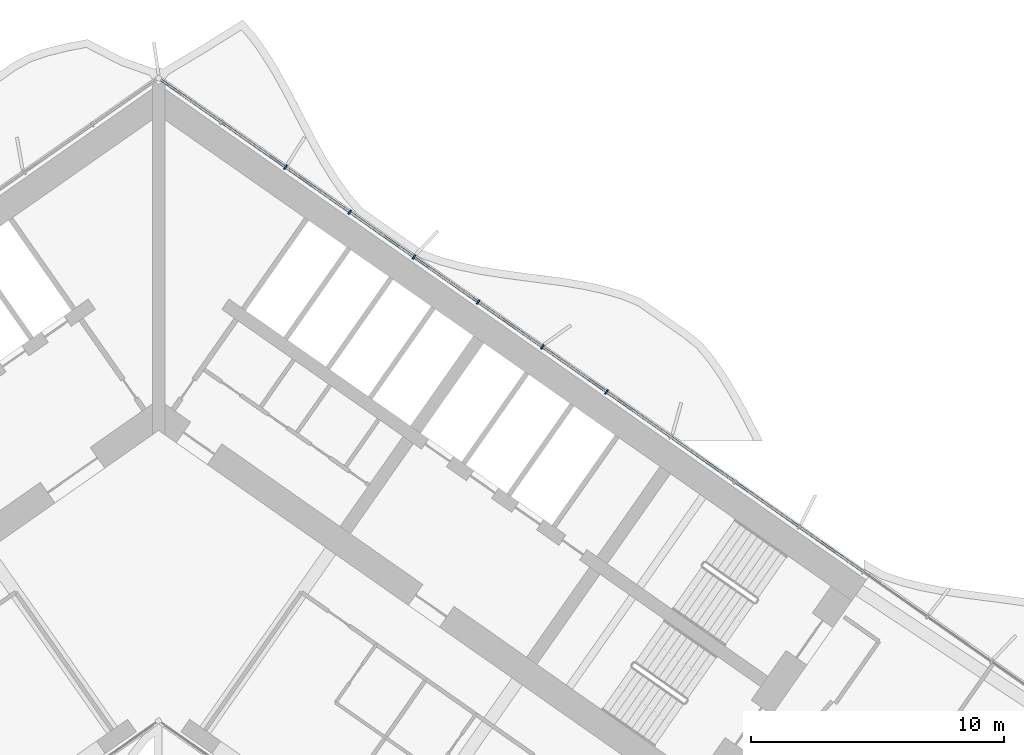
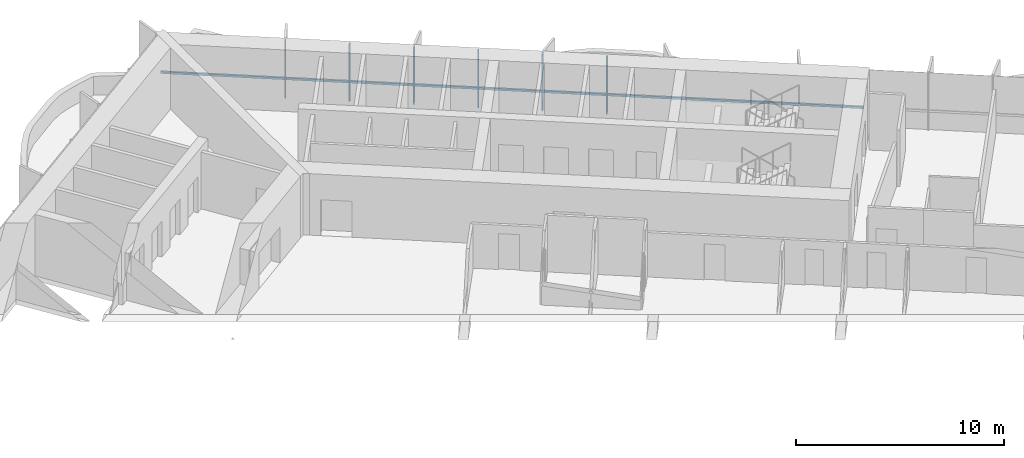
# One storey, part 8 of 23: 7 members, 1 element without a shape of its own.
"""IFC4 building model written with IfcOpenShell, lengths in metres."""

from ifc_helpers import new_model, si_unit, direction, frame, origin, origin_2d, place, context, subcontext, project, spatial, rectangle, extrude, material, material_profile, profile_set, type_object, element, aggregate, save


model = new_model("IFC4")

# Units and contexts
model_context = context("Model", 3, precision=1e-05, world=origin(), true_north=direction((0.0, 1.0)))
body_context = subcontext(model_context, "Body", "Model", "MODEL_VIEW")
ifc_project = project(units=[si_unit("LENGTHUNIT", "METRE"), si_unit("AREAUNIT", "SQUARE_METRE"), si_unit("VOLUMEUNIT", "CUBIC_METRE"), si_unit("PLANEANGLEUNIT", "RADIAN"), si_unit("MASSUNIT", "GRAM", prefix="KILO")], contexts=[model_context])

# Site, building, storey
site_placement = place(None, origin())
site = spatial("IfcSite", under=ifc_project, at=site_placement, CompositionType="ELEMENT")
building_placement = place(site_placement, origin())
building = spatial("IfcBuilding", under=site, at=building_placement, Name="Tel Ilan Convention Tower", CompositionType="ELEMENT")
storey_placement = place(building_placement, frame((0.0, 0.0, 79.699951171875)))
storey = spatial("IfcBuildingStorey", under=building, at=storey_placement, Name="L15", CompositionType="ELEMENT", Elevation=79.699951171875)

# Curtain wall, members
ifc_material_1 = material(Name="Aluminium, bronze anodised", Category="aluminium")
curtain_wall_type = type_object("IfcCurtainWallType", Name="CW2 STICK CURTAIN WALL, SPANDREL PANELS", PredefinedType="NOTDEFINED", material=ifc_material_1)
curtain_wall_placement = place(storey_placement, origin())
curtain_wall = element("IfcCurtainWall", 1, at=curtain_wall_placement, inside=storey, type_object=curtain_wall_type, Name="Curtain wall CW2-15.01", PredefinedType="NOTDEFINED")
ifc_material_2 = material(Name="Aluminium, bronze anodised", Category="aluminium")
ifc_material_profile_1 = material_profile(ifc_material_2, rectangle(XDim=0.06005859375, YDim=0.199951171875, at=origin_2d()), Name="CW MULLION 60x200")
ifc_profile_set_1 = profile_set([ifc_material_profile_1], Name="Aluminium, bronze anodised")
member_type_1 = type_object("IfcMemberType", Name="CW MULLION 60x200", PredefinedType="MULLION", material=ifc_profile_set_1)
member_1_placement = place(storey_placement, frame((17.701171875, 0.301513671875, 0.0), z_axis=(0.0, 0.0, 1.0), x_axis=(-0.819152044289, 0.573576436351, 0.0)))
member_1 = element("IfcMember", 2, at=member_1_placement, type_object=member_type_1, Name="Mullion", PredefinedType="MULLION", context=body_context, shape_type="SweptSolid", body=[
    extrude(rectangle(XDim=0.06005859375, YDim=0.199951171875, at=origin_2d()), origin(), (0.0, 0.0, 1.0), 3.320068359375),
])
member_2_placement = place(storey_placement, frame((15.1640625, 2.077880859375, 0.0), z_axis=(0.0, 0.0, 1.0), x_axis=(-0.819152044289, 0.573576436351, 0.0)))
member_2 = element("IfcMember", 3, at=member_2_placement, type_object=member_type_1, Name="Mullion", PredefinedType="MULLION", context=body_context, shape_type="SweptSolid", body=[
    extrude(rectangle(XDim=0.06005859375, YDim=0.199951171875, at=origin_2d()), origin(), (0.0, 0.0, 1.0), 3.320068359375),
])
member_3_placement = place(storey_placement, frame((12.627197265625, 3.854248046875, 0.0), z_axis=(0.0, 0.0, 1.0), x_axis=(-0.819152044289, 0.573576436351, 0.0)))
member_3 = element("IfcMember", 4, at=member_3_placement, type_object=member_type_1, Name="Mullion", PredefinedType="MULLION", context=body_context, shape_type="SweptSolid", body=[
    extrude(rectangle(XDim=0.06005859375, YDim=0.199951171875, at=origin_2d()), origin(), (0.0, 0.0, 1.0), 3.320068359375),
])
member_4_placement = place(storey_placement, frame((10.09033203125, 5.630615234375, 0.0), z_axis=(0.0, 0.0, 1.0), x_axis=(-0.819152044289, 0.573576436351, 0.0)))
member_4 = element("IfcMember", 5, at=member_4_placement, type_object=member_type_1, Name="Mullion", PredefinedType="MULLION", context=body_context, shape_type="SweptSolid", body=[
    extrude(rectangle(XDim=0.06005859375, YDim=0.199951171875, at=origin_2d()), origin(), (0.0, 0.0, 1.0), 3.320068359375),
])
member_5_placement = place(storey_placement, frame((7.553466796875, 7.406982421875, 0.0), z_axis=(0.0, 0.0, 1.0), x_axis=(-0.819152044289, 0.573576436351, 0.0)))
member_5 = element("IfcMember", 6, at=member_5_placement, type_object=member_type_1, Name="Mullion", PredefinedType="MULLION", context=body_context, shape_type="SweptSolid", body=[
    extrude(rectangle(XDim=0.06005859375, YDim=0.199951171875, at=origin_2d()), origin(), (0.0, 0.0, 1.0), 3.320068359375),
])
member_6_placement = place(storey_placement, frame((5.0166015625, 9.18359375, 0.0), z_axis=(0.0, 0.0, 1.0), x_axis=(-0.819152044289, 0.573576436351, 0.0)))
member_6 = element("IfcMember", 7, at=member_6_placement, type_object=member_type_1, Name="Mullion", PredefinedType="MULLION", context=body_context, shape_type="SweptSolid", body=[
    extrude(rectangle(XDim=0.06005859375, YDim=0.199951171875, at=origin_2d()), origin(), (0.0, 0.0, 1.0), 3.320068359375),
])
ifc_material_3 = material(Name="Aluminium, bronze anodised", Category="aluminium")
ifc_material_profile_2 = material_profile(ifc_material_3, rectangle(XDim=0.10009765625, YDim=0.1201171875, at=origin_2d()), Name="CW TRANSOM 100x120")
ifc_profile_set_2 = profile_set([ifc_material_profile_2], Name="Aluminium, bronze anodised")
member_type_2 = type_object("IfcMemberType", Name="CW TRANSOM 100x120", PredefinedType="USERDEFINED", material=ifc_profile_set_2)
member_7_placement = place(storey_placement, frame((27.82421875, -6.78662109375, 1.10009765625), z_axis=(-0.819151916241, 0.573576619222, 0.0), x_axis=(-0.573576619222, -0.819151916241, 0.0)))
member_7 = element("IfcMember", 8, at=member_7_placement, type_object=member_type_2, Name="Transom", ObjectType="TRANSOM", PredefinedType="USERDEFINED", context=body_context, shape_type="SweptSolid", body=[
    extrude(rectangle(XDim=0.10009765625, YDim=0.1201171875, at=origin_2d()), origin(), (0.0, 0.0, 1.0), 33.837158203125),
])
aggregate(curtain_wall, [member_1, member_2, member_3, member_4, member_5, member_6, member_7])

save(model, "model.ifc")
